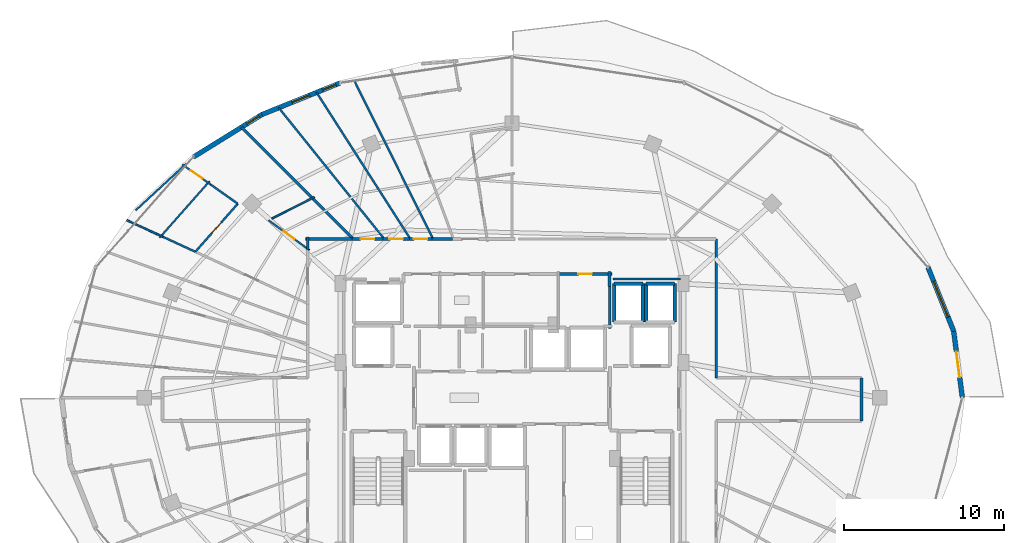
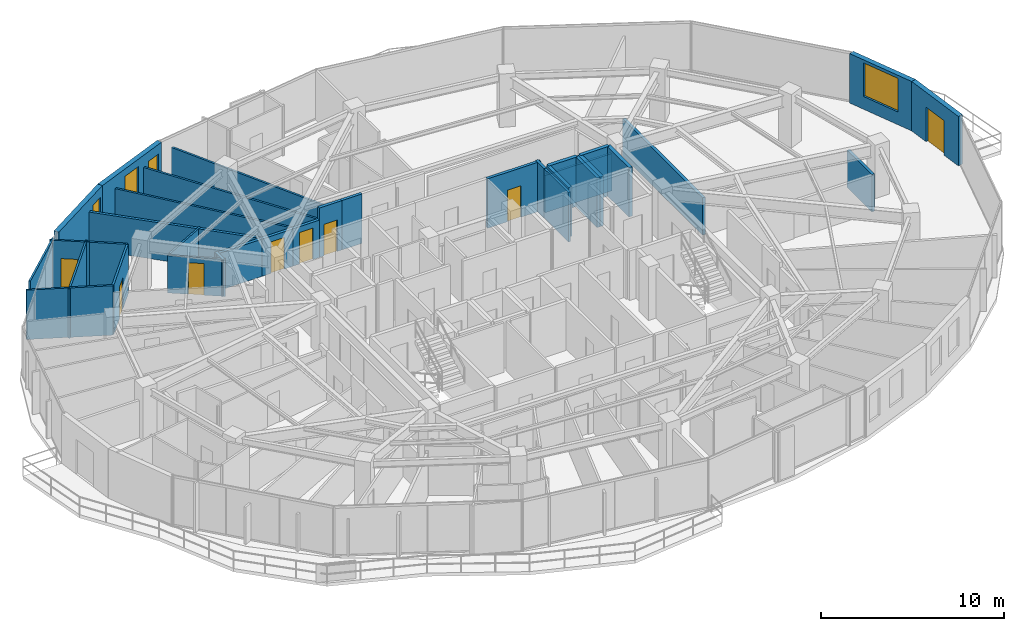
# One storey, part 29 of 33: 35 walls, 8 doors, 4 windows, 12 openings.
"""IFC4 building model written with IfcOpenShell, lengths in metres."""

from ifc_helpers import new_model, si_unit, direction, frame, frame_2d, origin, place, context, subcontext, project, spatial, rectangle, extrude, material, layer, layer_set, type_object, element, fill, save


model = new_model("IFC4")

# Units and contexts
model_context = context("Model", 3, precision=1e-05, world=origin(), true_north=direction((0.0, 1.0)))
body_context = subcontext(model_context, "Body", "Model", "MODEL_VIEW")
ifc_project = project(units=[si_unit("LENGTHUNIT", "METRE"), si_unit("AREAUNIT", "SQUARE_METRE"), si_unit("VOLUMEUNIT", "CUBIC_METRE"), si_unit("PLANEANGLEUNIT", "RADIAN"), si_unit("MASSUNIT", "GRAM", prefix="KILO")], contexts=[model_context])

# Site, building, storey
site_placement = place(None, origin())
site = spatial("IfcSite", under=ifc_project, at=site_placement, CompositionType="ELEMENT")
building_placement = place(site_placement, origin())
building = spatial("IfcBuilding", under=site, at=building_placement, Name="Vorneva Point Tower", CompositionType="ELEMENT")
storey_placement = place(building_placement, frame((0.0, 0.0, 203.64990234375)))
storey = spatial("IfcBuildingStorey", under=building, at=storey_placement, Name="L55", CompositionType="ELEMENT", Elevation=203.64990234375)

# Wall, opening, door
ifc_material_1 = material(Name="Precast concrete B50 (C40/50)", Category="concrete")
ifc_layer_1 = layer(ifc_material_1, 0.300048828125)
ifc_layer_set_1 = layer_set([ifc_layer_1], Name="Precast concrete B50 (C40/50)")
wall_type_1 = type_object("IfcWallType", Name="WL-EXT-300", PredefinedType="STANDARD", material=ifc_layer_set_1)
wall_1_placement = place(storey_placement, frame((66.22998046875, 26.0, 0.0), z_axis=(0.0, 0.0, 1.0), x_axis=(-0.129147853268, 0.991625348605, 0.0)))
wall_1 = element("IfcWall", 1, at=wall_1_placement, inside=storey, type_object=wall_type_1, Name="L55 Pale-Metal Facade Spandrel Wall 01.1", PredefinedType="STANDARD", context=body_context, shape_type="SweptSolid", body=[
    extrude(rectangle(XDim=4.200439453125, YDim=0.300048828125, at=frame_2d((2.10009765625, 0.0))), origin(), (0.0, 0.0, 1.0), 3.2900390625),
])
opening_1_placement = place(wall_1_placement, frame((1.30029296875, 0.0, 0.0)))
opening_1 = element("IfcOpeningElement", 2, at=opening_1_placement, cuts=wall_1, Name="Opening BD-01", PredefinedType="OPENING", context=body_context, shape_type="SweptSolid", body=[
    extrude(rectangle(XDim=1.60009765625, YDim=2.300048828125, at=frame_2d((0.800048828125, 1.14990234375))), frame((0.0, 0.1650390625, 0.0), z_axis=(0.0, -1.0, 0.0), x_axis=(1.0, 0.0, 0.0)), (0.0, 0.0, 1.0), 0.329833984375),
])
ifc_material_2 = material(Name="Pale anodised aluminium", Category="aluminium")
door_type_1 = type_object("IfcDoorType", Name="DR-BAL-1600", OperationType="SLIDING_TO_LEFT", PredefinedType="DOOR", material=ifc_material_2)
door_1_placement = place(opening_1_placement, origin())
door_1 = element("IfcDoor", 3, at=door_1_placement, inside=storey, type_object=door_type_1, Name="L55 Balcony Terrace Access Door 01", OperationType="SLIDING_TO_LEFT", OverallHeight=2.300048828125, OverallWidth=1.60009765625, PredefinedType="DOOR", context=body_context, shape_type="SweptSolid", body=[
    extrude(rectangle(XDim=1.60009765625, YDim=2.300048828125, at=frame_2d((0.800048828125, 1.14990234375))), frame((0.0, 0.02490234375, 0.0), z_axis=(0.0, -1.0, 0.0), x_axis=(1.0, 0.0, 0.0)), (0.0, 0.0, 1.0), 0.050048828125),
])
fill(opening_1, door_1)

# Wall, opening, window
wall_2_placement = place(storey_placement, frame((65.6875, 30.165283203125, 0.0), z_axis=(0.0, 0.0, 1.0), x_axis=(-0.372268409848, 0.928125116043, 0.0)))
wall_2 = element("IfcWall", 4, at=wall_2_placement, inside=storey, type_object=wall_type_1, Name="L55 Pale-Metal Facade Spandrel Wall 01.2", PredefinedType="STANDARD", context=body_context, shape_type="SweptSolid", body=[
    extrude(rectangle(XDim=4.315185546875, YDim=0.300048828125, at=frame_2d((2.15771484375, 0.0))), origin(), (0.0, 0.0, 1.0), 3.2900390625),
])
opening_2_placement = place(wall_2_placement, frame((0.95751953125, 0.0, 0.85009765625)))
opening_2 = element("IfcOpeningElement", 5, at=opening_2_placement, cuts=wall_2, Name="Opening W-03", PredefinedType="OPENING", context=body_context, shape_type="SweptSolid", body=[
    extrude(rectangle(XDim=2.39990234375, YDim=2.239990234375, at=frame_2d((1.199951171875, 1.1201171875))), frame((0.0, 0.1650390625, 0.0), z_axis=(0.0, -1.0, 0.0), x_axis=(1.0, 0.0, 0.0)), (0.0, 0.0, 1.0), 0.329833984375),
])
ifc_material_3 = material(Name="Double low-e laminated glass IGU", Category="glass")
window_type_1 = type_object("IfcWindowType", Name="WN-RES-2400", PartitioningType="SINGLE_PANEL", PredefinedType="WINDOW", material=ifc_material_3)
window_1_placement = place(opening_2_placement, origin())
window_1 = element("IfcWindow", 6, at=window_1_placement, inside=storey, type_object=window_type_1, Name="L55 Facade Window 01", OverallHeight=2.239990234375, OverallWidth=2.39990234375, PartitioningType="SINGLE_PANEL", PredefinedType="WINDOW", context=body_context, shape_type="SweptSolid", body=[
    extrude(rectangle(XDim=2.39990234375, YDim=2.239990234375, at=frame_2d((1.199951171875, 1.1201171875))), frame((0.0, 0.030029296875, 0.0), z_axis=(0.0, -1.0, 0.0), x_axis=(1.0, 0.0, 0.0)), (0.0, 0.0, 1.0), 0.06005859375),
])
fill(opening_2, window_1)

# Wall, openings, windows
wall_3_placement = place(storey_placement, frame((27.19677734375, 45.724853515625, 0.0), z_axis=(0.0, 0.0, 1.0), x_axis=(-0.927111094334, -0.374786630981, 0.0)))
wall_3 = element("IfcWall", 7, at=wall_3_placement, inside=storey, type_object=wall_type_1, Name="L55 Pale-Metal Facade Spandrel Wall 06.1", PredefinedType="STANDARD", context=body_context, shape_type="SweptSolid", body=[
    extrude(rectangle(XDim=5.26416015625, YDim=0.300048828125, at=frame_2d((2.632080078125, 0.0))), origin(), (0.0, 0.0, 1.0), 3.2900390625),
])
opening_3_placement = place(wall_3_placement, frame((0.25830078125, 0.0, 0.85009765625)))
opening_3 = element("IfcOpeningElement", 8, at=opening_3_placement, cuts=wall_3, Name="Opening W-08", PredefinedType="OPENING", context=body_context, shape_type="SweptSolid", body=[
    extrude(rectangle(XDim=0.89990234375, YDim=1.800048828125, at=frame_2d((0.449951171875, 0.89990234375))), frame((0.0, 0.1650390625, 0.0), z_axis=(0.0, -1.0, 0.0), x_axis=(1.0, 0.0, 0.0)), (0.0, 0.0, 1.0), 0.329833984375),
])
opening_4_placement = place(wall_3_placement, frame((2.031982421875, 0.0, 0.85009765625)))
opening_4 = element("IfcOpeningElement", 9, at=opening_4_placement, cuts=wall_3, Name="Opening W-04", PredefinedType="OPENING", context=body_context, shape_type="SweptSolid", body=[
    extrude(rectangle(XDim=1.199951171875, YDim=1.949951171875, at=frame_2d((0.60009765625, 0.97509765625))), frame((0.0, 0.1650390625, 0.0), z_axis=(0.0, -1.0, 0.0), x_axis=(1.0, 0.0, 0.0)), (0.0, 0.0, 1.0), 0.329833984375),
])
window_type_2 = type_object("IfcWindowType", Name="WN-CAS-900", PartitioningType="SINGLE_PANEL", PredefinedType="WINDOW", material=ifc_material_3)
window_2_placement = place(opening_3_placement, origin())
window_2 = element("IfcWindow", 10, at=window_2_placement, inside=storey, type_object=window_type_2, Name="L55 Dwelling Vision Window 01", OverallHeight=1.800048828125, OverallWidth=0.89990234375, PartitioningType="SINGLE_PANEL", PredefinedType="WINDOW", context=body_context, shape_type="SweptSolid", body=[
    extrude(rectangle(XDim=0.89990234375, YDim=1.800048828125, at=frame_2d((0.449951171875, 0.89990234375))), frame((0.0, 0.030029296875, 0.0), z_axis=(0.0, -1.0, 0.0), x_axis=(1.0, 0.0, 0.0)), (0.0, 0.0, 1.0), 0.06005859375),
])
fill(opening_3, window_2)
window_type_3 = type_object("IfcWindowType", Name="WN-RES-1200", PartitioningType="SINGLE_PANEL", PredefinedType="WINDOW", material=ifc_material_3)
window_3_placement = place(opening_4_placement, origin())
window_3 = element("IfcWindow", 11, at=window_3_placement, inside=storey, type_object=window_type_3, Name="L55 Dwelling Vision Window 02", OverallHeight=1.949951171875, OverallWidth=1.199951171875, PartitioningType="SINGLE_PANEL", PredefinedType="WINDOW", context=body_context, shape_type="SweptSolid", body=[
    extrude(rectangle(XDim=1.199951171875, YDim=1.949951171875, at=frame_2d((0.60009765625, 0.97509765625))), frame((0.0, 0.030029296875, 0.0), z_axis=(0.0, -1.0, 0.0), x_axis=(1.0, 0.0, 0.0)), (0.0, 0.0, 1.0), 0.06005859375),
])
fill(opening_4, window_3)

# Wall, opening, window
wall_4_placement = place(storey_placement, frame((22.31640625, 43.751953125, 0.0), z_axis=(0.0, 0.0, 1.0), x_axis=(-0.849647657754, -0.527350791858, 0.0)))
wall_4 = element("IfcWall", 12, at=wall_4_placement, inside=storey, type_object=wall_type_1, Name="L55 Pale-Metal Facade Spandrel Wall 06.2", PredefinedType="STANDARD", context=body_context, shape_type="SweptSolid", body=[
    extrude(rectangle(XDim=5.03515625, YDim=0.300048828125, at=frame_2d((2.517578125, 0.0))), origin(), (0.0, 0.0, 1.0), 3.2900390625),
])
opening_5_placement = place(wall_4_placement, frame((0.19921875, 0.0, 0.85009765625)))
opening_5 = element("IfcOpeningElement", 13, at=opening_5_placement, cuts=wall_4, Name="Opening W-08", PredefinedType="OPENING", context=body_context, shape_type="SweptSolid", body=[
    extrude(rectangle(XDim=0.89990234375, YDim=1.800048828125, at=frame_2d((0.449951171875, 0.89990234375))), frame((0.0, 0.1650390625, 0.0), z_axis=(0.0, -1.0, 0.0), x_axis=(1.0, 0.0, 0.0)), (0.0, 0.0, 1.0), 0.329833984375),
])
window_4_placement = place(opening_5_placement, origin())
window_4 = element("IfcWindow", 14, at=window_4_placement, inside=storey, type_object=window_type_2, Name="L55 Dwelling Vision Window 03", OverallHeight=1.800048828125, OverallWidth=0.89990234375, PartitioningType="SINGLE_PANEL", PredefinedType="WINDOW", context=body_context, shape_type="SweptSolid", body=[
    extrude(rectangle(XDim=0.89990234375, YDim=1.800048828125, at=frame_2d((0.449951171875, 0.89990234375))), frame((0.0, 0.030029296875, 0.0), z_axis=(0.0, -1.0, 0.0), x_axis=(1.0, 0.0, 0.0)), (0.0, 0.0, 1.0), 0.06005859375),
])
fill(opening_5, window_4)

# Wall, opening, door
ifc_material_4 = material(Name="Fire-rated acoustic gypsum stud partition", Category="gypsum")
ifc_layer_2 = layer(ifc_material_4, 0.110107421875)
ifc_layer_set_2 = layer_set([ifc_layer_2], Name="Fire-rated acoustic gypsum stud partition")
wall_type_2 = type_object("IfcWallType", Name="WL-PART-110", PredefinedType="PARTITIONING", material=ifc_layer_set_2)
wall_5_placement = place(storey_placement, frame((25.31298828125, 35.24755859375, 0.0), z_axis=(0.0, 0.0, 1.0), x_axis=(-0.807968083988, 0.58922625133, 0.0)))
wall_5 = element("IfcWall", 15, at=wall_5_placement, inside=storey, type_object=wall_type_2, Name="L55 Interior Partition 087", PredefinedType="PARTITIONING", context=body_context, shape_type="SweptSolid", body=[
    extrude(rectangle(XDim=3.192138671875, YDim=0.110107421875, at=frame_2d((1.59619140625, 0.0))), origin(), (0.0, 0.0, 1.0), 2.482177734375),
])
opening_6_placement = place(wall_5_placement, frame((1.171142578125, 0.0, 0.0)))
opening_6 = element("IfcOpeningElement", 16, at=opening_6_placement, cuts=wall_5, Name="Opening ID-02", PredefinedType="OPENING", context=body_context, shape_type="SweptSolid", body=[
    extrude(rectangle(XDim=0.85009765625, YDim=2.10009765625, at=frame_2d((0.425048828125, 1.050048828125))), frame((0.0, 0.06982421875, 0.0), z_axis=(0.0, -1.0, 0.0), x_axis=(1.0, 0.0, 0.0)), (0.0, 0.0, 1.0), 0.139892578125),
])
ifc_material_5 = material(Name="Engineered oak fire-rated door leaf", Category="wood")
door_type_2 = type_object("IfcDoorType", Name="DR-BATH-850", OperationType="NOTDEFINED", PredefinedType="DOOR", material=ifc_material_5)
door_2_placement = place(opening_6_placement, origin())
door_2 = element("IfcDoor", 17, at=door_2_placement, inside=storey, type_object=door_type_2, Name="L55 Door Living and Dining Room L55-02 / Bathroom L55-02", OperationType="SINGLE_SWING_LEFT", OverallHeight=2.10009765625, OverallWidth=0.85009765625, PredefinedType="DOOR", context=body_context, shape_type="SweptSolid", body=[
    extrude(rectangle(XDim=0.85009765625, YDim=2.10009765625, at=frame_2d((0.425048828125, 1.050048828125))), frame((0.0, 0.02490234375, 0.0), z_axis=(0.0, -1.0, 0.0), x_axis=(1.0, 0.0, 0.0)), (0.0, 0.0, 1.0), 0.050048828125),
])
fill(opening_6, door_2)

# Walls
wall_6_placement = place(storey_placement, frame((22.941162109375, 37.23095703125, 0.0), z_axis=(0.0, 0.0, 1.0), x_axis=(0.892507731149, 0.451032094024, 0.0)))
element("IfcWall", 18, at=wall_6_placement, inside=storey, type_object=wall_type_2, Name="L55 Interior Partition 088", PredefinedType="PARTITIONING", context=body_context, shape_type="SweptSolid", body=[
    extrude(rectangle(XDim=2.989013671875, YDim=0.110107421875, at=frame_2d((1.49462890625, 0.0))), origin(), (0.0, 0.0, 1.0), 2.482177734375),
])
wall_7_placement = place(storey_placement, frame((17.58984375, 40.681884765625, 0.0), z_axis=(0.0, 0.0, 1.0), x_axis=(-0.734861902375, -0.678216768031, 0.0)))
element("IfcWall", 19, at=wall_7_placement, inside=storey, type_object=wall_type_2, Name="L55 Interior Partition 089", PredefinedType="PARTITIONING", context=body_context, shape_type="SweptSolid", body=[
    extrude(rectangle(XDim=4.322998046875, YDim=0.110107421875, at=frame_2d((2.16162109375, 0.0))), origin(), (0.0, 0.0, 1.0), 3.2900390625),
])

# Wall, opening, door
wall_8_placement = place(storey_placement, frame((17.32763671875, 40.625732421875, 0.0), z_axis=(0.0, 0.0, 1.0), x_axis=(0.816448938693, -0.577417639588, 0.0)))
wall_8 = element("IfcWall", 20, at=wall_8_placement, inside=storey, type_object=wall_type_2, Name="L55 Interior Partition 090", PredefinedType="PARTITIONING", context=body_context, shape_type="SweptSolid", body=[
    extrude(rectangle(XDim=2.19189453125, YDim=0.110107421875, at=frame_2d((1.095947265625, 0.0))), origin(), (0.0, 0.0, 1.0), 3.2900390625),
])
opening_7_placement = place(wall_8_placement, frame((0.64599609375, 0.0, 0.0)))
opening_7 = element("IfcOpeningElement", 21, at=opening_7_placement, cuts=wall_8, Name="Opening ID-01", PredefinedType="OPENING", context=body_context, shape_type="SweptSolid", body=[
    extrude(rectangle(XDim=0.89990234375, YDim=2.10009765625, at=frame_2d((0.449951171875, 1.050048828125))), frame((0.0, 0.06982421875, 0.0), z_axis=(0.0, -1.0, 0.0), x_axis=(1.0, 0.0, 0.0)), (0.0, 0.0, 1.0), 0.139892578125),
])
door_type_3 = type_object("IfcDoorType", Name="DR-ROOM-900", OperationType="NOTDEFINED", PredefinedType="DOOR", material=ifc_material_5)
door_3_placement = place(opening_7_placement, origin())
door_3 = element("IfcDoor", 22, at=door_3_placement, inside=storey, type_object=door_type_3, Name="L55 Door Living and Dining Room L55-02 / Kitchen L55-02", OperationType="SINGLE_SWING_LEFT", OverallHeight=2.10009765625, OverallWidth=0.89990234375, PredefinedType="DOOR", context=body_context, shape_type="SweptSolid", body=[
    extrude(rectangle(XDim=0.89990234375, YDim=2.10009765625, at=frame_2d((0.449951171875, 1.050048828125))), frame((0.0, 0.02490234375, 0.0), z_axis=(0.0, -1.0, 0.0), x_axis=(1.0, 0.0, 0.0)), (0.0, 0.0, 1.0), 0.050048828125),
])
fill(opening_7, door_3)

# Walls
wall_9_placement = place(storey_placement, frame((15.913330078125, 36.0341796875, 0.0), z_axis=(0.0, 0.0, 1.0), x_axis=(0.662189711464, 0.749336230294, 0.0)))
element("IfcWall", 23, at=wall_9_placement, inside=storey, type_object=wall_type_2, Name="L55 Interior Partition 095", PredefinedType="PARTITIONING", context=body_context, shape_type="SweptSolid", body=[
    extrude(rectangle(XDim=4.731689453125, YDim=0.110107421875, at=frame_2d((2.36572265625, 0.0))), origin(), (0.0, 0.0, 1.0), 3.2900390625),
])
wall_10_placement = place(storey_placement, frame((13.846923828125, 37.134521484375, 0.0), z_axis=(0.0, 0.0, 1.0), x_axis=(0.908101251341, -0.418750662462, 0.0)))
element("IfcWall", 24, at=wall_10_placement, inside=storey, type_object=wall_type_2, Name="L55 Interior Partition 096", PredefinedType="PARTITIONING", context=body_context, shape_type="SweptSolid", body=[
    extrude(rectangle(XDim=2.517578125, YDim=0.110107421875, at=frame_2d((1.2587890625, 0.0))), origin(), (0.0, 0.0, 1.0), 3.2900390625),
])
ifc_layer_3 = layer(ifc_material_4, 0.125)
ifc_layer_set_3 = layer_set([ifc_layer_3], Name="Fire-rated acoustic gypsum stud partition")
wall_type_3 = type_object("IfcWallType", Name="WL-PART-125", PredefinedType="PARTITIONING", material=ifc_layer_set_3)
wall_11_placement = place(storey_placement, frame((28.091064453125, 45.927978515625, 0.0), z_axis=(0.0, 0.0, 1.0), x_axis=(0.445267068418, -0.895397809793, 0.0)))
element("IfcWall", 25, at=wall_11_placement, inside=storey, type_object=wall_type_3, Name="L55 Interior Partition 083", PredefinedType="PARTITIONING", context=body_context, shape_type="SweptSolid", body=[
    extrude(rectangle(XDim=11.143798828125, YDim=0.125, at=frame_2d((5.57177734375, 0.0))), origin(), (0.0, 0.0, 1.0), 2.482177734375),
])
wall_12_placement = place(storey_placement, frame((25.7490234375, 45.137939453125, 0.0), z_axis=(0.0, 0.0, 1.0), x_axis=(0.539168632786, -0.842197830335, 0.0)))
element("IfcWall", 26, at=wall_12_placement, inside=storey, type_object=wall_type_3, Name="L55 Interior Partition 084", PredefinedType="PARTITIONING", context=body_context, shape_type="SweptSolid", body=[
    extrude(rectangle(XDim=10.909423828125, YDim=0.125, at=frame_2d((5.45458984375, 0.0))), origin(), (0.0, 0.0, 1.0), 2.482177734375),
])
wall_13_placement = place(storey_placement, frame((23.3779296875, 44.177978515625, 0.0), z_axis=(0.0, 0.0, 1.0), x_axis=(0.626756813732, -0.779214923137, 0.0)))
element("IfcWall", 27, at=wall_13_placement, inside=storey, type_object=wall_type_3, Name="L55 Interior Partition 085", PredefinedType="PARTITIONING", context=body_context, shape_type="SweptSolid", body=[
    extrude(rectangle(XDim=10.559326171875, YDim=0.125, at=frame_2d((5.27978515625, 0.0))), origin(), (0.0, 0.0, 1.0), 2.482177734375),
])

# Wall, opening, door
wall_14_placement = place(storey_placement, frame((20.81201171875, 38.160888671875, 0.0), z_axis=(0.0, 0.0, 1.0), x_axis=(-0.662063683649, -0.749447582418, 0.0)))
wall_14 = element("IfcWall", 28, at=wall_14_placement, inside=storey, type_object=wall_type_3, Name="L55 Interior Partition 091", PredefinedType="PARTITIONING", context=body_context, shape_type="SweptSolid", body=[
    extrude(rectangle(XDim=4.017578125, YDim=0.125, at=frame_2d((2.0087890625, 0.0))), origin(), (0.0, 0.0, 1.0), 3.2900390625),
])
opening_8_placement = place(wall_14_placement, frame((1.558837890625, 0.0, 0.0)))
opening_8 = element("IfcOpeningElement", 29, at=opening_8_placement, cuts=wall_14, Name="Opening ID-01", PredefinedType="OPENING", context=body_context, shape_type="SweptSolid", body=[
    extrude(rectangle(XDim=0.89990234375, YDim=2.10009765625, at=frame_2d((0.449951171875, 1.050048828125))), frame((0.0, 0.077392578125, 0.0), z_axis=(0.0, -1.0, 0.0), x_axis=(1.0, 0.0, 0.0)), (0.0, 0.0, 1.0), 0.15478515625),
])
door_4_placement = place(opening_8_placement, origin())
door_4 = element("IfcDoor", 30, at=door_4_placement, inside=storey, type_object=door_type_3, Name="L55 Door Living and Dining Room L55-02 / Study Room L55-02", OperationType="SINGLE_SWING_RIGHT", OverallHeight=2.10009765625, OverallWidth=0.89990234375, PredefinedType="DOOR", context=body_context, shape_type="SweptSolid", body=[
    extrude(rectangle(XDim=0.89990234375, YDim=2.10009765625, at=frame_2d((0.449951171875, 1.050048828125))), frame((0.0, 0.02490234375, 0.0), z_axis=(0.0, -1.0, 0.0), x_axis=(1.0, 0.0, 0.0)), (0.0, 0.0, 1.0), 0.050048828125),
])
fill(opening_8, door_4)

# Walls
wall_15_placement = place(storey_placement, frame((18.152099609375, 35.14990234375, 0.0), z_axis=(0.0, 0.0, 1.0), x_axis=(-0.908192094718, 0.418553603607, 0.0)))
element("IfcWall", 31, at=wall_15_placement, inside=storey, type_object=wall_type_3, Name="L55 Interior Partition 092", PredefinedType="PARTITIONING", context=body_context, shape_type="SweptSolid", body=[
    extrude(rectangle(XDim=2.363037109375, YDim=0.125, at=frame_2d((1.181640625, 0.0))), origin(), (0.0, 0.0, 1.0), 3.2900390625),
])
wall_16_placement = place(storey_placement, frame((19.1171875, 39.360107421875, 0.0), z_axis=(0.0, 0.0, 1.0), x_axis=(0.816315567802, -0.577606175316, 0.0)))
element("IfcWall", 32, at=wall_16_placement, inside=storey, type_object=wall_type_3, Name="L55 Interior Partition 093", PredefinedType="PARTITIONING", context=body_context, shape_type="SweptSolid", body=[
    extrude(rectangle(XDim=2.076171875, YDim=0.125, at=frame_2d((1.0380859375, 0.0))), origin(), (0.0, 0.0, 1.0), 3.2900390625),
])
ifc_layer_4 = layer(ifc_material_4, 0.139892578125)
ifc_layer_set_4 = layer_set([ifc_layer_4], Name="Fire-rated acoustic gypsum stud partition")
wall_type_4 = type_object("IfcWallType", Name="WL-PART-140", PredefinedType="PARTITIONING", material=ifc_layer_set_4)
wall_17_placement = place(storey_placement, frame((44.1201171875, 30.340087890625, 0.0), z_axis=(0.0, 0.0, 1.0), x_axis=(0.0, 1.0, 0.0)))
element("IfcWall", 33, at=wall_17_placement, inside=storey, type_object=wall_type_4, Name="L55 Interior Closure Partition 157", PredefinedType="PARTITIONING", context=body_context, shape_type="SweptSolid", body=[
    extrude(rectangle(XDim=2.659912109375, YDim=0.139892578125, at=frame_2d((1.330078125, 0.0))), origin(), (0.0, 0.0, 1.0), 3.2900390625),
])
wall_18_placement = place(storey_placement, frame((48.550048828125, 33.449951171875, 0.0), z_axis=(0.0, 0.0, 1.0), x_axis=(-1.0, 0.0, 0.0)))
element("IfcWall", 34, at=wall_18_placement, inside=storey, type_object=wall_type_4, Name="L55 Interior Closure Partition 167", PredefinedType="PARTITIONING", context=body_context, shape_type="SweptSolid", body=[
    extrude(rectangle(XDim=4.2099609375, YDim=0.139892578125, at=frame_2d((2.10498046875, 0.0))), origin(), (0.0, 0.0, 1.0), 2.482177734375),
])
ifc_layer_5 = layer(ifc_material_4, 0.159912109375)
ifc_layer_set_5 = layer_set([ifc_layer_5], Name="Fire-rated acoustic gypsum stud partition")
wall_type_5 = type_object("IfcWallType", Name="WL-PART-160", PredefinedType="PARTITIONING", material=ifc_layer_set_5)
wall_19_placement = place(storey_placement, frame((21.041015625, 42.958984375, 0.0), z_axis=(0.0, 0.0, 1.0), x_axis=(0.707106781187, -0.707106781187, 0.0)))
element("IfcWall", 35, at=wall_19_placement, inside=storey, type_object=wall_type_5, Name="L55 Interior Partition 086", PredefinedType="PARTITIONING", context=body_context, shape_type="SweptSolid", body=[
    extrude(rectangle(XDim=9.912353515625, YDim=0.159912109375, at=frame_2d((4.9560546875, 0.0))), origin(), (0.0, 0.0, 1.0), 2.482177734375),
])

# Wall, opening, door
ifc_material_6 = material(Name="Autoclaved aerated concrete blockwork", Category="masonry")
ifc_layer_6 = layer(ifc_material_6, 0.179931640625)
ifc_layer_set_6 = layer_set([ifc_layer_6], Name="Autoclaved aerated concrete blockwork")
wall_type_6 = type_object("IfcWallType", Name="WL-PART-180", PredefinedType="PARTITIONING", material=ifc_layer_set_6)
wall_20_placement = place(storey_placement, frame((44.260009765625, 33.760009765625, 0.0), z_axis=(0.0, 0.0, 1.0), x_axis=(-1.0, 0.0, 0.0)))
wall_20 = element("IfcWall", 36, at=wall_20_placement, inside=storey, type_object=wall_type_6, Name="L55 Interior Partition 024", PredefinedType="PARTITIONING", context=body_context, shape_type="SweptSolid", body=[
    extrude(rectangle(XDim=3.360107421875, YDim=0.179931640625, at=frame_2d((1.68017578125, 0.0))), origin(), (0.0, 0.0, 1.0), 3.2900390625),
])
opening_9_placement = place(wall_20_placement, frame((1.2548828125, 0.0, 0.0)))
opening_9 = element("IfcOpeningElement", 37, at=opening_9_placement, cuts=wall_20, Name="Opening ID-02", PredefinedType="OPENING", context=body_context, shape_type="SweptSolid", body=[
    extrude(rectangle(XDim=0.85009765625, YDim=2.10009765625, at=frame_2d((0.425048828125, 1.050048828125))), frame((0.0, 0.10498046875, 0.0), z_axis=(0.0, -1.0, 0.0), x_axis=(1.0, 0.0, 0.0)), (0.0, 0.0, 1.0), 0.209716796875),
])
door_5_placement = place(opening_9_placement, origin())
door_5 = element("IfcDoor", 38, at=door_5_placement, inside=storey, type_object=door_type_2, Name="L55 Door Accessible WC / L55 Circulation Corridor", OperationType="SINGLE_SWING_RIGHT", OverallHeight=2.10009765625, OverallWidth=0.85009765625, PredefinedType="DOOR", context=body_context, shape_type="SweptSolid", body=[
    extrude(rectangle(XDim=0.85009765625, YDim=2.10009765625, at=frame_2d((0.425048828125, 1.050048828125))), frame((0.0, 0.02490234375, 0.0), z_axis=(0.0, -1.0, 0.0), x_axis=(1.0, 0.0, 0.0)), (0.0, 0.0, 1.0), 0.050048828125),
])
fill(opening_9, door_5)

# Walls
wall_21_placement = place(storey_placement, frame((44.1201171875, 32.969970703125, 0.0), z_axis=(0.0, 0.0, 1.0), x_axis=(0.0, 1.0, 0.0)))
element("IfcWall", 39, at=wall_21_placement, inside=storey, type_object=wall_type_6, Name="L55 Interior Partition 025", PredefinedType="PARTITIONING", context=body_context, shape_type="SweptSolid", body=[
    extrude(rectangle(XDim=0.929931640625, YDim=0.179931640625, at=frame_2d((0.46484375, 0.0))), origin(), (0.0, 0.0, 1.0), 3.2900390625),
])
wall_22_placement = place(storey_placement, frame((34.264892578125, 35.949951171875, 0.0), z_axis=(0.0, 0.0, 1.0), x_axis=(-1.0, 0.0, 0.0)))
element("IfcWall", 40, at=wall_22_placement, inside=storey, type_object=wall_type_6, Name="L55 Interior Partition 031", PredefinedType="PARTITIONING", context=body_context, shape_type="SweptSolid", body=[
    extrude(rectangle(XDim=1.27880859375, YDim=0.179931640625, at=frame_2d((0.639404296875, 0.0))), origin(), (0.0, 0.0, 1.0), 3.2900390625),
])

# Wall, opening, door
wall_23_placement = place(storey_placement, frame((32.986083984375, 35.949951171875, 0.0), z_axis=(0.0, 0.0, 1.0), x_axis=(-1.0, 0.0, 0.0)))
wall_23 = element("IfcWall", 41, at=wall_23_placement, inside=storey, type_object=wall_type_6, Name="L55 Interior Partition 032", PredefinedType="PARTITIONING", context=body_context, shape_type="SweptSolid", body=[
    extrude(rectangle(XDim=1.426025390625, YDim=0.179931640625, at=frame_2d((0.712890625, 0.0))), origin(), (0.0, 0.0, 1.0), 3.2900390625),
])
opening_10_placement = place(wall_23_placement, frame((0.2880859375, 0.0, 0.0)))
opening_10 = element("IfcOpeningElement", 42, at=opening_10_placement, cuts=wall_23, Name="Opening ID-02", PredefinedType="OPENING", context=body_context, shape_type="SweptSolid", body=[
    extrude(rectangle(XDim=0.85009765625, YDim=2.10009765625, at=frame_2d((0.425048828125, 1.050048828125))), frame((0.0, 0.10498046875, 0.0), z_axis=(0.0, -1.0, 0.0), x_axis=(1.0, 0.0, 0.0)), (0.0, 0.0, 1.0), 0.209716796875),
])
door_6_placement = place(opening_10_placement, origin())
door_6 = element("IfcDoor", 43, at=door_6_placement, inside=storey, type_object=door_type_2, Name="L55 Access Door L55 Circulation Corridor", OperationType="SINGLE_SWING_LEFT", OverallHeight=2.10009765625, OverallWidth=0.85009765625, PredefinedType="DOOR", context=body_context, shape_type="SweptSolid", body=[
    extrude(rectangle(XDim=0.85009765625, YDim=2.10009765625, at=frame_2d((0.425048828125, 1.050048828125))), frame((0.0, 0.02490234375, 0.0), z_axis=(0.0, -1.0, 0.0), x_axis=(1.0, 0.0, 0.0)), (0.0, 0.0, 1.0), 0.050048828125),
])
fill(opening_10, door_6)

wall_24_placement = place(storey_placement, frame((31.56005859375, 35.949951171875, 0.0), z_axis=(0.0, 0.0, 1.0), x_axis=(-1.0, 0.0, 0.0)))
wall_24 = element("IfcWall", 44, at=wall_24_placement, inside=storey, type_object=wall_type_6, Name="L55 Interior Partition 033", PredefinedType="PARTITIONING", context=body_context, shape_type="SweptSolid", body=[
    extrude(rectangle(XDim=1.64111328125, YDim=0.179931640625, at=frame_2d((0.820556640625, 0.0))), origin(), (0.0, 0.0, 1.0), 2.482177734375),
])
opening_11_placement = place(wall_24_placement, frame((0.3955078125, 0.0, 0.0)))
opening_11 = element("IfcOpeningElement", 45, at=opening_11_placement, cuts=wall_24, Name="Opening ID-02", PredefinedType="OPENING", context=body_context, shape_type="SweptSolid", body=[
    extrude(rectangle(XDim=0.85009765625, YDim=2.10009765625, at=frame_2d((0.425048828125, 1.050048828125))), frame((0.0, 0.10498046875, 0.0), z_axis=(0.0, -1.0, 0.0), x_axis=(1.0, 0.0, 0.0)), (0.0, 0.0, 1.0), 0.209716796875),
])
door_7_placement = place(opening_11_placement, origin())
door_7 = element("IfcDoor", 46, at=door_7_placement, inside=storey, type_object=door_type_2, Name="L55 Access Door L55 Circulation Corridor", OperationType="SINGLE_SWING_RIGHT", OverallHeight=2.10009765625, OverallWidth=0.85009765625, PredefinedType="DOOR", context=body_context, shape_type="SweptSolid", body=[
    extrude(rectangle(XDim=0.85009765625, YDim=2.10009765625, at=frame_2d((0.425048828125, 1.050048828125))), frame((0.0, 0.02490234375, 0.0), z_axis=(0.0, -1.0, 0.0), x_axis=(1.0, 0.0, 0.0)), (0.0, 0.0, 1.0), 0.050048828125),
])
fill(opening_11, door_7)

wall_25_placement = place(storey_placement, frame((29.9189453125, 35.949951171875, 0.0), z_axis=(0.0, 0.0, 1.0), x_axis=(-1.0, 0.0, 0.0)))
wall_25 = element("IfcWall", 47, at=wall_25_placement, inside=storey, type_object=wall_type_6, Name="L55 Interior Partition 034", PredefinedType="PARTITIONING", context=body_context, shape_type="SweptSolid", body=[
    extrude(rectangle(XDim=1.953857421875, YDim=0.179931640625, at=frame_2d((0.97705078125, 0.0))), origin(), (0.0, 0.0, 1.0), 2.482177734375),
])
opening_12_placement = place(wall_25_placement, frame((0.552001953125, 0.0, 0.0)))
opening_12 = element("IfcOpeningElement", 48, at=opening_12_placement, cuts=wall_25, Name="Opening ID-02", PredefinedType="OPENING", context=body_context, shape_type="SweptSolid", body=[
    extrude(rectangle(XDim=0.85009765625, YDim=2.10009765625, at=frame_2d((0.425048828125, 1.050048828125))), frame((0.0, 0.10498046875, 0.0), z_axis=(0.0, -1.0, 0.0), x_axis=(1.0, 0.0, 0.0)), (0.0, 0.0, 1.0), 0.209716796875),
])
door_8_placement = place(opening_12_placement, origin())
door_8 = element("IfcDoor", 49, at=door_8_placement, inside=storey, type_object=door_type_2, Name="L55 Access Door L55 Circulation Corridor", OperationType="SINGLE_SWING_LEFT", OverallHeight=2.10009765625, OverallWidth=0.85009765625, PredefinedType="DOOR", context=body_context, shape_type="SweptSolid", body=[
    extrude(rectangle(XDim=0.85009765625, YDim=2.10009765625, at=frame_2d((0.425048828125, 1.050048828125))), frame((0.0, 0.02490234375, 0.0), z_axis=(0.0, -1.0, 0.0), x_axis=(1.0, 0.0, 0.0)), (0.0, 0.0, 1.0), 0.050048828125),
])
fill(opening_12, door_8)

# Walls
wall_26_placement = place(storey_placement, frame((28.10498046875, 35.949951171875, 0.0), z_axis=(0.0, 0.0, 1.0), x_axis=(-1.0, 0.0, 0.0)))
element("IfcWall", 50, at=wall_26_placement, inside=storey, type_object=wall_type_6, Name="L55 Interior Partition 036", PredefinedType="PARTITIONING", context=body_context, shape_type="SweptSolid", body=[
    extrude(rectangle(XDim=3.044921875, YDim=0.179931640625, at=frame_2d((1.5224609375, 0.0))), origin(), (0.0, 0.0, 1.0), 2.482177734375),
])
wall_27_placement = place(storey_placement, frame((25.199951171875, 36.090087890625, 0.0), z_axis=(0.0, 0.0, 1.0), x_axis=(0.0, -1.0, 0.0)))
element("IfcWall", 51, at=wall_27_placement, inside=storey, type_object=wall_type_6, Name="L55 Interior Partition 037", PredefinedType="PARTITIONING", context=body_context, shape_type="SweptSolid", body=[
    extrude(rectangle(XDim=0.826171875, YDim=0.179931640625, at=frame_2d((0.4130859375, 0.0))), origin(), (0.0, 0.0, 1.0), 2.482177734375),
])
wall_28_placement = place(storey_placement, frame((59.89990234375, 24.550048828125, 0.0), z_axis=(0.0, 0.0, 1.0), x_axis=(0.0, 1.0, 0.0)))
element("IfcWall", 52, at=wall_28_placement, inside=storey, type_object=wall_type_6, Name="L55 Interior Partition 070", PredefinedType="PARTITIONING", context=body_context, shape_type="SweptSolid", body=[
    extrude(rectangle(XDim=2.699951171875, YDim=0.179931640625, at=frame_2d((1.35009765625, 0.0))), origin(), (0.0, 0.0, 1.0), 2.482177734375),
])
wall_29_placement = place(storey_placement, frame((50.800048828125, 27.25, 0.0), z_axis=(0.0, 0.0, 1.0), x_axis=(0.0, 1.0, 0.0)))
element("IfcWall", 53, at=wall_29_placement, inside=storey, type_object=wall_type_6, Name="L55 Interior Partition 072", PredefinedType="PARTITIONING", context=body_context, shape_type="SweptSolid", body=[
    extrude(rectangle(XDim=8.699951171875, YDim=0.179931640625, at=frame_2d((4.35009765625, 0.0))), origin(), (0.0, 0.0, 1.0), 2.482177734375),
])
ifc_material_7 = material(Name="Concrete B50 (C40/50)", Category="concrete")
ifc_layer_7 = layer(ifc_material_7, 0.219970703125)
ifc_layer_set_7 = layer_set([ifc_layer_7], Name="Concrete B50 (C40/50)")
wall_type_7 = type_object("IfcWallType", Name="WL-SHFT-220", PredefinedType="SOLIDWALL", material=ifc_layer_set_7)
wall_30_placement = place(storey_placement, frame((46.199951171875, 30.739990234375, 0.0), z_axis=(0.0, 0.0, 1.0), x_axis=(0.0, 1.0, 0.0)))
element("IfcWall", 54, at=wall_30_placement, inside=storey, type_object=wall_type_7, Name="L55 Lift EX1 Shaft Wall +X", PredefinedType="SOLIDWALL", context=body_context, shape_type="SweptSolid", body=[
    extrude(rectangle(XDim=2.419921875, YDim=0.219970703125, at=frame_2d((1.2099609375, 0.0))), origin(), (0.0, 0.0, 1.0), 3.2900390625),
])
wall_31_placement = place(storey_placement, frame((46.199951171875, 33.159912109375, 0.0), z_axis=(0.0, 0.0, 1.0), x_axis=(-1.0, 0.0, 0.0)))
element("IfcWall", 55, at=wall_31_placement, inside=storey, type_object=wall_type_7, Name="L55 Lift EX1 Shaft Wall +Y", PredefinedType="SOLIDWALL", context=body_context, shape_type="SweptSolid", body=[
    extrude(rectangle(XDim=1.800048828125, YDim=0.219970703125, at=frame_2d((0.89990234375, 0.0))), origin(), (0.0, 0.0, 1.0), 3.2900390625),
])
for number, where, z_axis, x_axis, name in (
    (56, (44.39990234375, 33.159912109375, 0.0), (0.0, 0.0, 1.0), (0.0, -1.0, 0.0), "L55 Lift EX1 Shaft Wall -X"),
    (57, (48.199951171875, 30.739990234375, 0.0), (0.0, 0.0, 1.0), (0.0, 1.0, 0.0), "L55 Lift EX2 Shaft Wall +X"),
):
    element("IfcWall", number, at=place(storey_placement, frame(where, z_axis=z_axis, x_axis=x_axis)), inside=storey, type_object=wall_type_7, Name=name, PredefinedType="SOLIDWALL", context=body_context, shape_type="SweptSolid", body=[
        extrude(rectangle(XDim=2.419921875, YDim=0.219970703125, at=frame_2d((1.2099609375, 0.0))), origin(), (0.0, 0.0, 1.0), 3.2900390625),
    ])
wall_32_placement = place(storey_placement, frame((48.199951171875, 33.159912109375, 0.0), z_axis=(0.0, 0.0, 1.0), x_axis=(-1.0, 0.0, 0.0)))
element("IfcWall", 58, at=wall_32_placement, inside=storey, type_object=wall_type_7, Name="L55 Lift EX2 Shaft Wall +Y", PredefinedType="SOLIDWALL", context=body_context, shape_type="SweptSolid", body=[
    extrude(rectangle(XDim=1.800048828125, YDim=0.219970703125, at=frame_2d((0.89990234375, 0.0))), origin(), (0.0, 0.0, 1.0), 3.2900390625),
])
wall_33_placement = place(storey_placement, frame((46.39990234375, 33.159912109375, 0.0), z_axis=(0.0, 0.0, 1.0), x_axis=(0.0, -1.0, 0.0)))
element("IfcWall", 59, at=wall_33_placement, inside=storey, type_object=wall_type_7, Name="L55 Lift EX2 Shaft Wall -X", PredefinedType="SOLIDWALL", context=body_context, shape_type="SweptSolid", body=[
    extrude(rectangle(XDim=2.419921875, YDim=0.219970703125, at=frame_2d((1.2099609375, 0.0))), origin(), (0.0, 0.0, 1.0), 3.2900390625),
])

save(model, "model.ifc")
